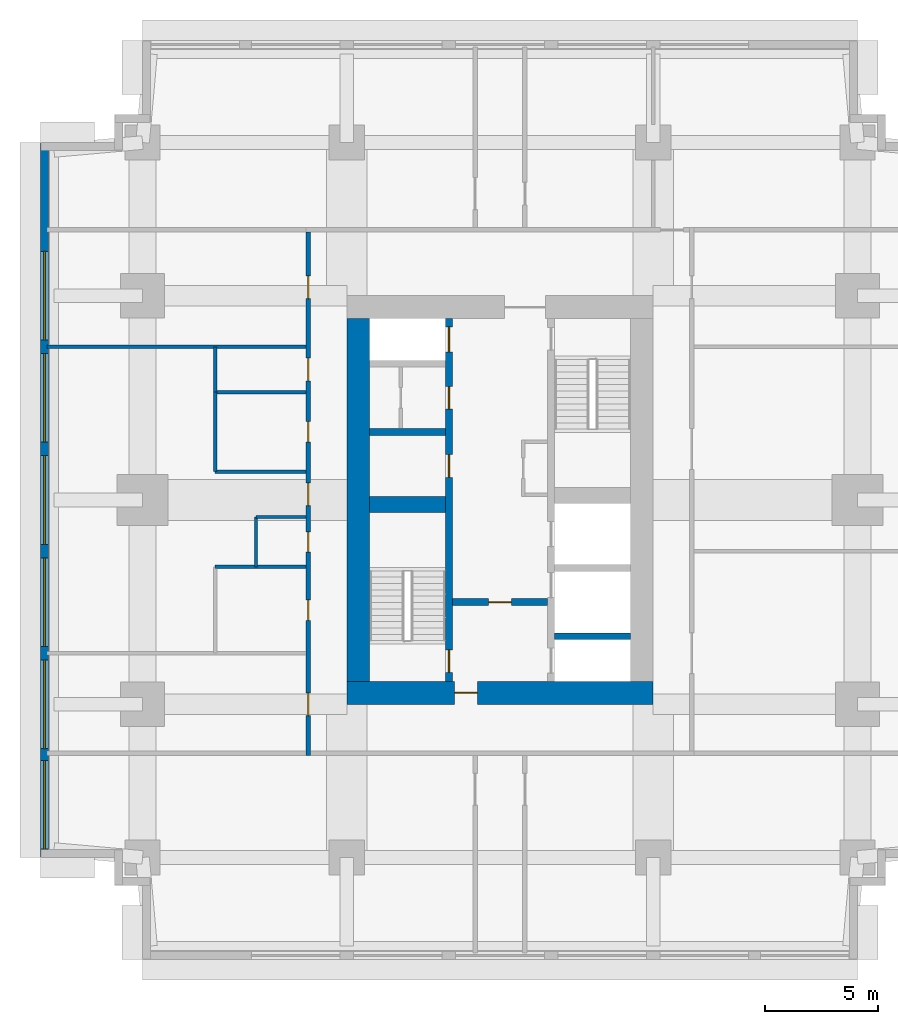
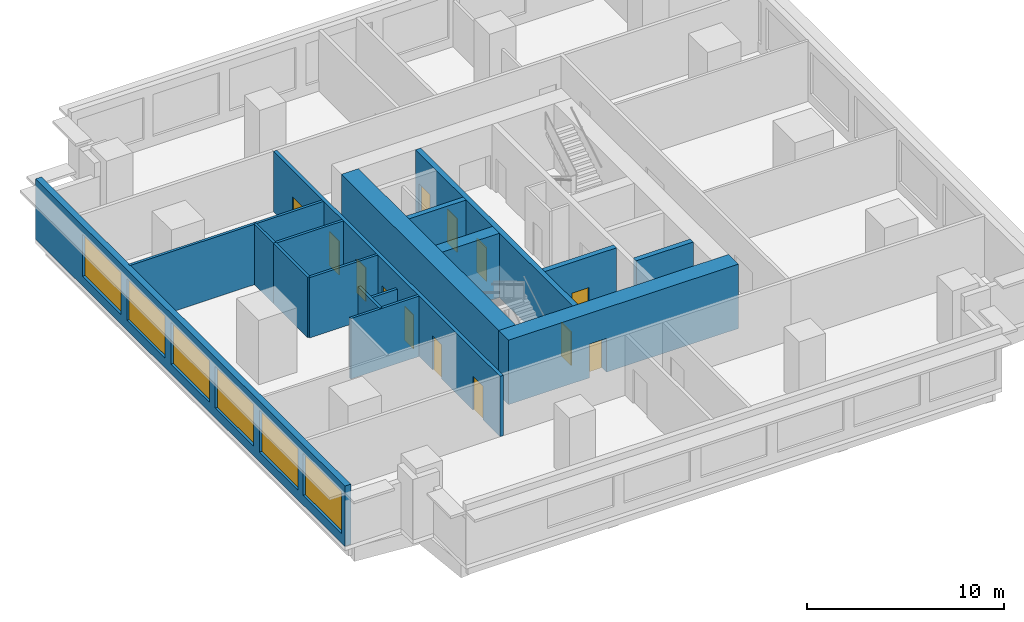
# One storey, part 3 of 7: 17 walls, 13 doors, 6 windows, 19 openings.
"""IFC4 building model written with IfcOpenShell, lengths in metres."""

from ifc_helpers import new_model, si_unit, direction, frame, frame_2d, origin, place, context, subcontext, project, spatial, rectangle, extrude, material, layer, layer_set, type_object, element, fill, save


model = new_model("IFC4")

# Units and contexts
model_context = context("Model", 3, precision=1e-05, world=origin(), true_north=direction((0.0, 1.0)))
body_context = subcontext(model_context, "Body", "Model", "MODEL_VIEW")
ifc_project = project(units=[si_unit("LENGTHUNIT", "METRE"), si_unit("AREAUNIT", "SQUARE_METRE"), si_unit("VOLUMEUNIT", "CUBIC_METRE"), si_unit("PLANEANGLEUNIT", "RADIAN"), si_unit("MASSUNIT", "GRAM", prefix="KILO")], contexts=[model_context])

# Site, building, storey
site_placement = place(None, origin())
site = spatial("IfcSite", under=ifc_project, at=site_placement, CompositionType="ELEMENT")
building_placement = place(site_placement, origin())
building = spatial("IfcBuilding", under=site, at=building_placement, Name="Namib Vertical Campus", CompositionType="ELEMENT")
storey_placement = place(building_placement, frame((0.0, 0.0, 237.0)))
storey = spatial("IfcBuildingStorey", under=building, at=storey_placement, Name="L56", CompositionType="ELEMENT", Elevation=237.0)

# Wall, openings, doors
ifc_material_1 = material(Name="Concrete C60/75", Category="concrete")
ifc_layer_1 = layer(ifc_material_1, 0.300048828125)
ifc_layer_set_1 = layer_set([ifc_layer_1], Name="Concrete C60/75")
wall_type_1 = type_object("IfcWallType", Name="Core inner wall 300", PredefinedType="SHEAR", material=ifc_layer_set_1)
wall_1_placement = place(storey_placement, frame((18.0, 12.25, 0.0), z_axis=(0.0, 0.0, 1.0), x_axis=(0.0, 1.0, 0.0)))
wall_1 = element("IfcWall", 1, at=wall_1_placement, inside=storey, type_object=wall_type_1, Name="Core inner wall A L56 W1", PredefinedType="SHEAR", context=body_context, shape_type="SweptSolid", body=[
    extrude(rectangle(XDim=16.0, YDim=0.300048828125, at=frame_2d((8.0, 0.0))), origin(), (0.0, 0.0, 1.0), 4.0),
])
opening_1_placement = place(wall_1_placement, frame((0.39990234375, 0.0, 0.0)))
opening_1 = element("IfcOpeningElement", 2, at=opening_1_placement, cuts=wall_1, Name="Opening FD1", PredefinedType="OPENING", context=body_context, shape_type="SweptSolid", body=[
    extrude(rectangle(XDim=1.0, YDim=2.10009765625, at=frame_2d((0.5, 1.050048828125))), frame((0.0, 0.159912109375, 0.0), z_axis=(0.0, -1.0, 0.0), x_axis=(1.0, 0.0, 0.0)), (0.0, 0.0, 1.0), 0.320068359375),
])
opening_2_placement = place(wall_1_placement, frame((14.52490234375, 0.0, 0.0)))
opening_2 = element("IfcOpeningElement", 3, at=opening_2_placement, cuts=wall_1, Name="Opening LD1", PredefinedType="OPENING", context=body_context, shape_type="SweptSolid", body=[
    extrude(rectangle(XDim=1.10009765625, YDim=2.10009765625, at=frame_2d((0.550048828125, 1.050048828125))), frame((0.0, 0.159912109375, 0.0), z_axis=(0.0, -1.0, 0.0), x_axis=(1.0, 0.0, 0.0)), (0.0, 0.0, 1.0), 0.320068359375),
])
opening_3_placement = place(wall_1_placement, frame((9.0, 0.0, 0.0)))
opening_3 = element("IfcOpeningElement", 4, at=opening_3_placement, cuts=wall_1, Name="Opening D1", PredefinedType="OPENING", context=body_context, shape_type="SweptSolid", body=[
    extrude(rectangle(XDim=1.0, YDim=2.10009765625, at=frame_2d((0.5, 1.050048828125))), frame((0.0, 0.159912109375, 0.0), z_axis=(0.0, -1.0, 0.0), x_axis=(1.0, 0.0, 0.0)), (0.0, 0.0, 1.0), 0.320068359375),
])
opening_4_placement = place(wall_1_placement, frame((12.0, 0.0, 0.0)))
opening_4 = element("IfcOpeningElement", 5, at=opening_4_placement, cuts=wall_1, Name="Opening D1", PredefinedType="OPENING", context=body_context, shape_type="SweptSolid", body=[
    extrude(rectangle(XDim=1.0, YDim=2.10009765625, at=frame_2d((0.5, 1.050048828125))), frame((0.0, 0.159912109375, 0.0), z_axis=(0.0, -1.0, 0.0), x_axis=(1.0, 0.0, 0.0)), (0.0, 0.0, 1.0), 0.320068359375),
])
ifc_material_2 = material(Name="Timber door leaf", Category="wood")
door_type_1 = type_object("IfcDoorType", Name="Door single 1000x2100", OperationType="SINGLE_SWING_LEFT", PredefinedType="DOOR", material=ifc_material_2)
door_1_placement = place(opening_3_placement, origin())
door_1 = element("IfcDoor", 6, at=door_1_placement, inside=storey, type_object=door_type_1, Name="Door D1 Staff pantry A L56 P1", OperationType="SINGLE_SWING_LEFT", OverallHeight=2.10009765625, OverallWidth=1.0, PredefinedType="DOOR", context=body_context, shape_type="SweptSolid", body=[
    extrude(rectangle(XDim=1.0, YDim=2.10009765625, at=frame_2d((0.5, 1.050048828125))), frame((0.0, 0.02490234375, 0.0), z_axis=(0.0, -1.0, 0.0), x_axis=(1.0, 0.0, 0.0)), (0.0, 0.0, 1.0), 0.050048828125),
])
fill(opening_3, door_1)
door_2_placement = place(opening_4_placement, origin())
door_2 = element("IfcDoor", 7, at=door_2_placement, inside=storey, type_object=door_type_1, Name="Door D1 Records store A L56 P2", OperationType="SINGLE_SWING_LEFT", OverallHeight=2.10009765625, OverallWidth=1.0, PredefinedType="DOOR", context=body_context, shape_type="SweptSolid", body=[
    extrude(rectangle(XDim=1.0, YDim=2.10009765625, at=frame_2d((0.5, 1.050048828125))), frame((0.0, 0.02490234375, 0.0), z_axis=(0.0, -1.0, 0.0), x_axis=(1.0, 0.0, 0.0)), (0.0, 0.0, 1.0), 0.050048828125),
])
fill(opening_4, door_2)
ifc_material_3 = material(Name="Steel fire door", Category="steel")
door_type_2 = type_object("IfcDoorType", Name="Fire door 1000x2100", OperationType="SINGLE_SWING_RIGHT", PredefinedType="DOOR", material=ifc_material_3)
door_3_placement = place(opening_1_placement, origin())
door_3 = element("IfcDoor", 8, at=door_3_placement, inside=storey, type_object=door_type_2, Name="Stair door FD1 A L56 S1", OperationType="SINGLE_SWING_LEFT", OverallHeight=2.10009765625, OverallWidth=1.0, PredefinedType="DOOR", context=body_context, shape_type="SweptSolid", body=[
    extrude(rectangle(XDim=1.0, YDim=2.10009765625, at=frame_2d((0.5, 1.050048828125))), frame((0.0, 0.02490234375, 0.0), z_axis=(0.0, -1.0, 0.0), x_axis=(1.0, 0.0, 0.0)), (0.0, 0.0, 1.0), 0.050048828125),
])
fill(opening_1, door_3)
ifc_material_4 = material(Name="Stainless steel lift door", Category="steel")
door_type_3 = type_object("IfcDoorType", Name="Lift landing door 1100x2100", OperationType="DOUBLE_DOOR_SLIDING", PredefinedType="DOOR", material=ifc_material_4)
door_4_placement = place(opening_2_placement, origin())
door_4 = element("IfcDoor", 9, at=door_4_placement, inside=storey, type_object=door_type_3, Name="Lift landing door LD1 A-P3 L56", OperationType="DOUBLE_DOOR_SLIDING", OverallHeight=2.10009765625, OverallWidth=1.10009765625, PredefinedType="DOOR", context=body_context, shape_type="SweptSolid", body=[
    extrude(rectangle(XDim=1.10009765625, YDim=2.10009765625, at=frame_2d((0.550048828125, 1.050048828125))), frame((0.0, 0.02490234375, 0.0), z_axis=(0.0, -1.0, 0.0), x_axis=(1.0, 0.0, 0.0)), (0.0, 0.0, 1.0), 0.050048828125),
])
fill(opening_2, door_4)

# Wall, opening, door
wall_2_placement = place(storey_placement, frame((18.14990234375, 15.75, 0.0), z_axis=(0.0, 0.0, 1.0), x_axis=(1.0, 0.0, 0.0)))
wall_2 = element("IfcWall", 10, at=wall_2_placement, inside=storey, type_object=wall_type_1, Name="Core inner wall A L56 W4", PredefinedType="SHEAR", context=body_context, shape_type="SweptSolid", body=[
    extrude(rectangle(XDim=4.2001953125, YDim=0.300048828125, at=frame_2d((2.10009765625, 0.0))), origin(), (0.0, 0.0, 1.0), 4.0),
])
opening_5_placement = place(wall_2_placement, frame((1.60009765625, 0.0, 0.0)))
opening_5 = element("IfcOpeningElement", 11, at=opening_5_placement, cuts=wall_2, Name="Opening FD5", PredefinedType="OPENING", context=body_context, shape_type="SweptSolid", body=[
    extrude(rectangle(XDim=1.0, YDim=2.10009765625, at=frame_2d((0.5, 1.050048828125))), frame((0.0, 0.159912109375, 0.0), z_axis=(0.0, -1.0, 0.0), x_axis=(1.0, 0.0, 0.0)), (0.0, 0.0, 1.0), 0.320068359375),
])
ifc_material_5 = material(Name="Steel fire door", Category="steel")
door_type_4 = type_object("IfcDoorType", Name="Fire door 1000x2100 120 min", OperationType="SINGLE_SWING_RIGHT", PredefinedType="DOOR", material=ifc_material_5)
door_5_placement = place(opening_5_placement, frame((1.0, 0.0, 0.0), z_axis=(0.0, 0.0, 1.0), x_axis=(-1.0, 0.0, 0.0)))
door_5 = element("IfcDoor", 12, at=door_5_placement, inside=storey, type_object=door_type_4, Name="Lobby door FD5 A L56", OperationType="SINGLE_SWING_RIGHT", OverallHeight=2.10009765625, OverallWidth=1.0, PredefinedType="DOOR", context=body_context, shape_type="SweptSolid", body=[
    extrude(rectangle(XDim=1.0, YDim=2.10009765625, at=frame_2d((0.5, 1.050048828125))), frame((0.0, 0.02490234375, 0.0), z_axis=(0.0, -1.0, 0.0), x_axis=(1.0, 0.0, 0.0)), (0.0, 0.0, 1.0), 0.050048828125),
])
fill(opening_5, door_5)

# Walls
for number, where, z_axis, x_axis, name in (
    (13, (22.64990234375, 14.25, 0.0), (0.0, 0.0, 1.0), (1.0, 0.0, 0.0), "Core inner wall A L56 W5"),
    (14, (14.5, 23.25, 0.0), (0.0, 0.0, 1.0), (1.0, 0.0, 0.0), "Core inner wall A L56 W8"),
):
    element("IfcWall", number, at=place(storey_placement, frame(where, z_axis=z_axis, x_axis=x_axis)), inside=storey, type_object=wall_type_1, Name=name, PredefinedType="SHEAR", context=body_context, shape_type="SweptSolid", body=[
        extrude(rectangle(XDim=3.35009765625, YDim=0.300048828125, at=frame_2d((1.675048828125, 0.0))), origin(), (0.0, 0.0, 1.0), 4.0),
    ])
ifc_material_6 = material(Name="Concrete C60/75", Category="concrete")
ifc_layer_2 = layer(ifc_material_6, 0.699951171875)
ifc_layer_set_2 = layer_set([ifc_layer_2], Name="Concrete C60/75")
wall_type_2 = type_object("IfcWallType", Name="Core shear wall 700", PredefinedType="SHEAR", material=ifc_layer_set_2)
wall_3_placement = place(storey_placement, frame((14.5, 20.050048828125, 0.0), z_axis=(0.0, 0.0, 1.0), x_axis=(1.0, 0.0, 0.0)))
element("IfcWall", 15, at=wall_3_placement, inside=storey, type_object=wall_type_2, Name="Core shear wall A L56 W3", PredefinedType="SHEAR", context=body_context, shape_type="SweptSolid", body=[
    extrude(rectangle(XDim=3.35009765625, YDim=0.699951171875, at=frame_2d((1.675048828125, 0.0))), origin(), (0.0, 0.0, 1.0), 4.0),
])

# Wall, opening, door
ifc_material_7 = material(Name="Concrete C60/75", Category="concrete")
ifc_layer_3 = layer(ifc_material_7, 1.0)
ifc_layer_set_3 = layer_set([ifc_layer_3], Name="Concrete C60/75")
wall_type_3 = type_object("IfcWallType", Name="Core wall 1000", PredefinedType="SHEAR", material=ifc_layer_set_3)
wall_4_placement = place(storey_placement, frame((13.5, 11.75, 0.0), z_axis=(0.0, 0.0, 1.0), x_axis=(1.0, 0.0, 0.0)))
wall_4 = element("IfcWall", 16, at=wall_4_placement, inside=storey, type_object=wall_type_3, Name="Core wall A L56 1", PredefinedType="SHEAR", context=body_context, shape_type="SweptSolid", body=[
    extrude(rectangle(XDim=13.5, YDim=1.0, at=frame_2d((6.75, 0.0))), origin(), (0.0, 0.0, 1.0), 4.0),
])
opening_6_placement = place(wall_4_placement, frame((4.75, 0.0, 0.0)))
opening_6 = element("IfcOpeningElement", 17, at=opening_6_placement, cuts=wall_4, Name="Opening FD5", PredefinedType="OPENING", context=body_context, shape_type="SweptSolid", body=[
    extrude(rectangle(XDim=1.0, YDim=2.10009765625, at=frame_2d((0.5, 1.050048828125))), frame((0.0, 0.510009765625, 0.0), z_axis=(0.0, -1.0, 0.0), x_axis=(1.0, 0.0, 0.0)), (0.0, 0.0, 1.0), 1.02001953125),
])
door_6_placement = place(opening_6_placement, origin())
door_6 = element("IfcDoor", 18, at=door_6_placement, inside=storey, type_object=door_type_4, Name="Firefighting lobby door FD5 A L56", OperationType="SINGLE_SWING_LEFT", OverallHeight=2.10009765625, OverallWidth=1.0, PredefinedType="DOOR", context=body_context, shape_type="SweptSolid", body=[
    extrude(rectangle(XDim=1.0, YDim=2.10009765625, at=frame_2d((0.5, 1.050048828125))), frame((0.0, 0.02490234375, 0.0), z_axis=(0.0, -1.0, 0.0), x_axis=(1.0, 0.0, 0.0)), (0.0, 0.0, 1.0), 0.050048828125),
])
fill(opening_6, door_6)

# Wall
wall_5_placement = place(storey_placement, frame((14.0, 28.25, 0.0), z_axis=(0.0, 0.0, 1.0), x_axis=(0.0, -1.0, 0.0)))
element("IfcWall", 19, at=wall_5_placement, inside=storey, type_object=wall_type_3, Name="Core wall A L56 4", PredefinedType="SHEAR", context=body_context, shape_type="SweptSolid", body=[
    extrude(rectangle(XDim=16.0, YDim=1.0, at=frame_2d((8.0, 0.0))), origin(), (0.0, 0.0, 1.0), 4.0),
])

# Wall, openings, doors
ifc_material_8 = material(Name="Concrete masonry", Category="masonry")
ifc_layer_4 = layer(ifc_material_8, 0.199951171875)
ifc_layer_set_4 = layer_set([ifc_layer_4], Name="Corridor wall 200")
wall_type_4 = type_object("IfcWallType", Name="Corridor wall 200", PredefinedType="SOLIDWALL", material=ifc_layer_set_4)
wall_6_placement = place(storey_placement, frame((11.800048828125, 32.050048828125, 0.0), z_axis=(0.0, 0.0, 1.0), x_axis=(0.0, -1.0, 0.0)))
wall_6 = element("IfcWall", 20, at=wall_6_placement, inside=storey, type_object=wall_type_4, Name="Corridor wall A L56 CW", PredefinedType="SOLIDWALL", context=body_context, shape_type="SweptSolid", body=[
    extrude(rectangle(XDim=23.050048828125, YDim=0.199951171875, at=frame_2d((11.52490234375, 0.0))), origin(), (0.0, 0.0, 1.0), 3.75),
])
opening_7_placement = place(wall_6_placement, frame((20.300048828125, 0.0, 0.0)))
opening_7 = element("IfcOpeningElement", 21, at=opening_7_placement, cuts=wall_6, Name="Opening CD1", PredefinedType="OPENING", context=body_context, shape_type="SweptSolid", body=[
    extrude(rectangle(XDim=1.0, YDim=2.10009765625, at=frame_2d((0.5, 1.050048828125))), frame((0.0, 0.10986328125, 0.0), z_axis=(0.0, -1.0, 0.0), x_axis=(1.0, 0.0, 0.0)), (0.0, 0.0, 1.0), 0.219970703125),
])
opening_8_placement = place(wall_6_placement, frame((16.199951171875, 0.0, 0.0)))
opening_8 = element("IfcOpeningElement", 22, at=opening_8_placement, cuts=wall_6, Name="Opening CD3", PredefinedType="OPENING", context=body_context, shape_type="SweptSolid", body=[
    extrude(rectangle(XDim=0.89990234375, YDim=2.10009765625, at=frame_2d((0.449951171875, 1.050048828125))), frame((0.0, 0.10986328125, 0.0), z_axis=(0.0, -1.0, 0.0), x_axis=(1.0, 0.0, 0.0)), (0.0, 0.0, 1.0), 0.219970703125),
])
opening_9_placement = place(wall_6_placement, frame((13.199951171875, 0.0, 0.0)))
opening_9 = element("IfcOpeningElement", 23, at=opening_9_placement, cuts=wall_6, Name="Opening CD3", PredefinedType="OPENING", context=body_context, shape_type="SweptSolid", body=[
    extrude(rectangle(XDim=0.89990234375, YDim=2.10009765625, at=frame_2d((0.449951171875, 1.050048828125))), frame((0.0, 0.10986328125, 0.0), z_axis=(0.0, -1.0, 0.0), x_axis=(1.0, 0.0, 0.0)), (0.0, 0.0, 1.0), 0.219970703125),
])
opening_10_placement = place(wall_6_placement, frame((8.35009765625, 0.0, 0.0)))
opening_10 = element("IfcOpeningElement", 24, at=opening_10_placement, cuts=wall_6, Name="Opening CD3", PredefinedType="OPENING", context=body_context, shape_type="SweptSolid", body=[
    extrude(rectangle(XDim=0.89990234375, YDim=2.10009765625, at=frame_2d((0.449951171875, 1.050048828125))), frame((0.0, 0.10986328125, 0.0), z_axis=(0.0, -1.0, 0.0), x_axis=(1.0, 0.0, 0.0)), (0.0, 0.0, 1.0), 0.219970703125),
])
opening_11_placement = place(wall_6_placement, frame((5.550048828125, 0.0, 0.0)))
opening_11 = element("IfcOpeningElement", 25, at=opening_11_placement, cuts=wall_6, Name="Opening CD1", PredefinedType="OPENING", context=body_context, shape_type="SweptSolid", body=[
    extrude(rectangle(XDim=1.0, YDim=2.10009765625, at=frame_2d((0.5, 1.050048828125))), frame((0.0, 0.10986328125, 0.0), z_axis=(0.0, -1.0, 0.0), x_axis=(1.0, 0.0, 0.0)), (0.0, 0.0, 1.0), 0.219970703125),
])
opening_12_placement = place(wall_6_placement, frame((11.050048828125, 0.0, 0.0)))
opening_12 = element("IfcOpeningElement", 26, at=opening_12_placement, cuts=wall_6, Name="Opening CD1", PredefinedType="OPENING", context=body_context, shape_type="SweptSolid", body=[
    extrude(rectangle(XDim=1.0, YDim=2.10009765625, at=frame_2d((0.5, 1.050048828125))), frame((0.0, 0.10986328125, 0.0), z_axis=(0.0, -1.0, 0.0), x_axis=(1.0, 0.0, 0.0)), (0.0, 0.0, 1.0), 0.219970703125),
])
opening_13_placement = place(wall_6_placement, frame((1.925048828125, 0.0, 0.0)))
opening_13 = element("IfcOpeningElement", 27, at=opening_13_placement, cuts=wall_6, Name="Opening CD1", PredefinedType="OPENING", context=body_context, shape_type="SweptSolid", body=[
    extrude(rectangle(XDim=1.0, YDim=2.10009765625, at=frame_2d((0.5, 1.050048828125))), frame((0.0, 0.10986328125, 0.0), z_axis=(0.0, -1.0, 0.0), x_axis=(1.0, 0.0, 0.0)), (0.0, 0.0, 1.0), 0.219970703125),
])
ifc_material_9 = material(Name="Timber fire door leaf", Category="wood")
door_type_5 = type_object("IfcDoorType", Name="Corridor door 1000x2100 20 min", OperationType="SINGLE_SWING_LEFT", PredefinedType="DOOR", material=ifc_material_9)
door_7_placement = place(opening_7_placement, frame((1.0, 0.0, 0.0), z_axis=(0.0, 0.0, 1.0), x_axis=(-1.0, 0.0, 0.0)))
door_7 = element("IfcDoor", 28, at=door_7_placement, inside=storey, type_object=door_type_5, Name="Door CD1 A56-09", OperationType="SINGLE_SWING_RIGHT", OverallHeight=2.10009765625, OverallWidth=1.0, PredefinedType="DOOR", context=body_context, shape_type="SweptSolid", body=[
    extrude(rectangle(XDim=1.0, YDim=2.10009765625, at=frame_2d((0.5, 1.050048828125))), frame((0.0, 0.02490234375, 0.0), z_axis=(0.0, -1.0, 0.0), x_axis=(1.0, 0.0, 0.0)), (0.0, 0.0, 1.0), 0.050048828125),
])
fill(opening_7, door_7)
door_8_placement = place(opening_11_placement, frame((1.0, 0.0, 0.0), z_axis=(0.0, 0.0, 1.0), x_axis=(-1.0, 0.0, 0.0)))
door_8 = element("IfcDoor", 29, at=door_8_placement, inside=storey, type_object=door_type_5, Name="Door CD1 A56-13", OperationType="SINGLE_SWING_RIGHT", OverallHeight=2.10009765625, OverallWidth=1.0, PredefinedType="DOOR", context=body_context, shape_type="SweptSolid", body=[
    extrude(rectangle(XDim=1.0, YDim=2.10009765625, at=frame_2d((0.5, 1.050048828125))), frame((0.0, 0.02490234375, 0.0), z_axis=(0.0, -1.0, 0.0), x_axis=(1.0, 0.0, 0.0)), (0.0, 0.0, 1.0), 0.050048828125),
])
fill(opening_11, door_8)
door_9_placement = place(opening_12_placement, frame((1.0, 0.0, 0.0), z_axis=(0.0, 0.0, 1.0), x_axis=(-1.0, 0.0, 0.0)))
door_9 = element("IfcDoor", 30, at=door_9_placement, inside=storey, type_object=door_type_5, Name="Door CD1 A56-14", OperationType="SINGLE_SWING_RIGHT", OverallHeight=2.10009765625, OverallWidth=1.0, PredefinedType="DOOR", context=body_context, shape_type="SweptSolid", body=[
    extrude(rectangle(XDim=1.0, YDim=2.10009765625, at=frame_2d((0.5, 1.050048828125))), frame((0.0, 0.02490234375, 0.0), z_axis=(0.0, -1.0, 0.0), x_axis=(1.0, 0.0, 0.0)), (0.0, 0.0, 1.0), 0.050048828125),
])
fill(opening_12, door_9)
door_10_placement = place(opening_13_placement, frame((1.0, 0.0, 0.0), z_axis=(0.0, 0.0, 1.0), x_axis=(-1.0, 0.0, 0.0)))
door_10 = element("IfcDoor", 31, at=door_10_placement, inside=storey, type_object=door_type_5, Name="Door CD1 A56-15", OperationType="SINGLE_SWING_RIGHT", OverallHeight=2.10009765625, OverallWidth=1.0, PredefinedType="DOOR", context=body_context, shape_type="SweptSolid", body=[
    extrude(rectangle(XDim=1.0, YDim=2.10009765625, at=frame_2d((0.5, 1.050048828125))), frame((0.0, 0.02490234375, 0.0), z_axis=(0.0, -1.0, 0.0), x_axis=(1.0, 0.0, 0.0)), (0.0, 0.0, 1.0), 0.050048828125),
])
fill(opening_13, door_10)
ifc_material_10 = material(Name="Timber fire door leaf", Category="wood")
door_type_6 = type_object("IfcDoorType", Name="Corridor toilet door 900x2100 20 min", OperationType="SINGLE_SWING_LEFT", PredefinedType="DOOR", material=ifc_material_10)
door_11_placement = place(opening_8_placement, frame((0.89990234375, 0.0, 0.0), z_axis=(0.0, 0.0, 1.0), x_axis=(-1.0, 0.0, 0.0)))
door_11 = element("IfcDoor", 32, at=door_11_placement, inside=storey, type_object=door_type_6, Name="Door CD3 A56-10", OperationType="SINGLE_SWING_RIGHT", OverallHeight=2.10009765625, OverallWidth=0.89990234375, PredefinedType="DOOR", context=body_context, shape_type="SweptSolid", body=[
    extrude(rectangle(XDim=0.89990234375, YDim=2.10009765625, at=frame_2d((0.449951171875, 1.050048828125))), frame((0.0, 0.02490234375, 0.0), z_axis=(0.0, -1.0, 0.0), x_axis=(1.0, 0.0, 0.0)), (0.0, 0.0, 1.0), 0.050048828125),
])
fill(opening_8, door_11)
door_12_placement = place(opening_9_placement, frame((0.89990234375, 0.0, 0.0), z_axis=(0.0, 0.0, 1.0), x_axis=(-1.0, 0.0, 0.0)))
door_12 = element("IfcDoor", 33, at=door_12_placement, inside=storey, type_object=door_type_6, Name="Door CD3 A56-11", OperationType="SINGLE_SWING_RIGHT", OverallHeight=2.10009765625, OverallWidth=0.89990234375, PredefinedType="DOOR", context=body_context, shape_type="SweptSolid", body=[
    extrude(rectangle(XDim=0.89990234375, YDim=2.10009765625, at=frame_2d((0.449951171875, 1.050048828125))), frame((0.0, 0.02490234375, 0.0), z_axis=(0.0, -1.0, 0.0), x_axis=(1.0, 0.0, 0.0)), (0.0, 0.0, 1.0), 0.050048828125),
])
fill(opening_9, door_12)
door_13_placement = place(opening_10_placement, frame((0.89990234375, 0.0, 0.0), z_axis=(0.0, 0.0, 1.0), x_axis=(-1.0, 0.0, 0.0)))
door_13 = element("IfcDoor", 34, at=door_13_placement, inside=storey, type_object=door_type_6, Name="Door CD3 A56-12", OperationType="SINGLE_SWING_RIGHT", OverallHeight=2.10009765625, OverallWidth=0.89990234375, PredefinedType="DOOR", context=body_context, shape_type="SweptSolid", body=[
    extrude(rectangle(XDim=0.89990234375, YDim=2.10009765625, at=frame_2d((0.449951171875, 1.050048828125))), frame((0.0, 0.02490234375, 0.0), z_axis=(0.0, -1.0, 0.0), x_axis=(1.0, 0.0, 0.0)), (0.0, 0.0, 1.0), 0.050048828125),
])
fill(opening_10, door_13)

# Wall, openings, windows
ifc_material_11 = material(Name="Concrete C40/50", Category="concrete")
ifc_layer_5 = layer(ifc_material_11, 0.35009765625)
ifc_layer_set_5 = layer_set([ifc_layer_5], Name="Concrete C40/50")
wall_type_5 = type_object("IfcWallType", Name="External wall 350 bush-hammered concrete", PredefinedType="STANDARD", material=ifc_layer_set_5)
wall_7_placement = place(storey_placement, frame((0.175048828125, 35.97998046875, 0.0), z_axis=(0.0, 0.0, 1.0), x_axis=(0.0, -1.0, 0.0)))
wall_7 = element("IfcWall", 35, at=wall_7_placement, inside=storey, type_object=wall_type_5, Name="External wall L56 F16", PredefinedType="STANDARD", context=body_context, shape_type="SweptSolid", body=[
    extrude(rectangle(XDim=31.4599609375, YDim=0.35009765625, at=frame_2d((15.72998046875, 0.0))), origin(), (0.0, 0.0, 1.0), 3.75),
])
opening_14_placement = place(wall_7_placement, frame((27.2099609375, 0.0, 0.60009765625)))
opening_14 = element("IfcOpeningElement", 36, at=opening_14_placement, cuts=wall_7, Name="Opening W2", PredefinedType="OPENING", context=body_context, shape_type="SweptSolid", body=[
    extrude(rectangle(XDim=3.89990234375, YDim=2.60009765625, at=frame_2d((1.949951171875, 1.300048828125))), frame((0.0, 0.18505859375, 0.0), z_axis=(0.0, -1.0, 0.0), x_axis=(1.0, 0.0, 0.0)), (0.0, 0.0, 1.0), 0.3701171875),
])
opening_15_placement = place(wall_7_placement, frame((22.780029296875, 0.0, 0.60009765625)))
opening_15 = element("IfcOpeningElement", 37, at=opening_15_placement, cuts=wall_7, Name="Opening W2", PredefinedType="OPENING", context=body_context, shape_type="SweptSolid", body=[
    extrude(rectangle(XDim=3.89990234375, YDim=2.60009765625, at=frame_2d((1.949951171875, 1.300048828125))), frame((0.0, 0.18505859375, 0.0), z_axis=(0.0, -1.0, 0.0), x_axis=(1.0, 0.0, 0.0)), (0.0, 0.0, 1.0), 0.3701171875),
])
opening_16_placement = place(wall_7_placement, frame((18.280029296875, 0.0, 0.60009765625)))
opening_16 = element("IfcOpeningElement", 38, at=opening_16_placement, cuts=wall_7, Name="Opening W2", PredefinedType="OPENING", context=body_context, shape_type="SweptSolid", body=[
    extrude(rectangle(XDim=3.89990234375, YDim=2.60009765625, at=frame_2d((1.949951171875, 1.300048828125))), frame((0.0, 0.18505859375, 0.0), z_axis=(0.0, -1.0, 0.0), x_axis=(1.0, 0.0, 0.0)), (0.0, 0.0, 1.0), 0.3701171875),
])
opening_17_placement = place(wall_7_placement, frame((13.780029296875, 0.0, 0.60009765625)))
opening_17 = element("IfcOpeningElement", 39, at=opening_17_placement, cuts=wall_7, Name="Opening W2", PredefinedType="OPENING", context=body_context, shape_type="SweptSolid", body=[
    extrude(rectangle(XDim=3.89990234375, YDim=2.60009765625, at=frame_2d((1.949951171875, 1.300048828125))), frame((0.0, 0.18505859375, 0.0), z_axis=(0.0, -1.0, 0.0), x_axis=(1.0, 0.0, 0.0)), (0.0, 0.0, 1.0), 0.3701171875),
])
opening_18_placement = place(wall_7_placement, frame((9.280029296875, 0.0, 0.60009765625)))
opening_18 = element("IfcOpeningElement", 40, at=opening_18_placement, cuts=wall_7, Name="Opening W2", PredefinedType="OPENING", context=body_context, shape_type="SweptSolid", body=[
    extrude(rectangle(XDim=3.89990234375, YDim=2.60009765625, at=frame_2d((1.949951171875, 1.300048828125))), frame((0.0, 0.18505859375, 0.0), z_axis=(0.0, -1.0, 0.0), x_axis=(1.0, 0.0, 0.0)), (0.0, 0.0, 1.0), 0.3701171875),
])
opening_19_placement = place(wall_7_placement, frame((4.780029296875, 0.0, 0.60009765625)))
opening_19 = element("IfcOpeningElement", 41, at=opening_19_placement, cuts=wall_7, Name="Opening W2", PredefinedType="OPENING", context=body_context, shape_type="SweptSolid", body=[
    extrude(rectangle(XDim=3.89990234375, YDim=2.60009765625, at=frame_2d((1.949951171875, 1.300048828125))), frame((0.0, 0.18505859375, 0.0), z_axis=(0.0, -1.0, 0.0), x_axis=(1.0, 0.0, 0.0)), (0.0, 0.0, 1.0), 0.3701171875),
])
ifc_material_12 = material(Name="Dark tinted glass in black aluminium frame", Category="aluminium")
window_type = type_object("IfcWindowType", Name="Ribbon window 3900x2600", PartitioningType="SINGLE_PANEL", PredefinedType="WINDOW", material=ifc_material_12)
window_1_placement = place(opening_14_placement, origin())
window_1 = element("IfcWindow", 42, at=window_1_placement, inside=storey, type_object=window_type, Name="Window W2 L56 F16-1", OverallHeight=2.60009765625, OverallWidth=3.89990234375, PartitioningType="SINGLE_PANEL", PredefinedType="WINDOW", context=body_context, shape_type="SweptSolid", body=[
    extrude(rectangle(XDim=3.89990234375, YDim=2.60009765625, at=frame_2d((1.949951171875, 1.300048828125))), frame((0.0, 0.030029296875, 0.0), z_axis=(0.0, -1.0, 0.0), x_axis=(1.0, 0.0, 0.0)), (0.0, 0.0, 1.0), 0.06005859375),
])
fill(opening_14, window_1)
window_2_placement = place(opening_15_placement, origin())
window_2 = element("IfcWindow", 43, at=window_2_placement, inside=storey, type_object=window_type, Name="Window W2 L56 F16-2", OverallHeight=2.60009765625, OverallWidth=3.89990234375, PartitioningType="SINGLE_PANEL", PredefinedType="WINDOW", context=body_context, shape_type="SweptSolid", body=[
    extrude(rectangle(XDim=3.89990234375, YDim=2.60009765625, at=frame_2d((1.949951171875, 1.300048828125))), frame((0.0, 0.030029296875, 0.0), z_axis=(0.0, -1.0, 0.0), x_axis=(1.0, 0.0, 0.0)), (0.0, 0.0, 1.0), 0.06005859375),
])
fill(opening_15, window_2)
window_3_placement = place(opening_16_placement, origin())
window_3 = element("IfcWindow", 44, at=window_3_placement, inside=storey, type_object=window_type, Name="Window W2 L56 F16-3", OverallHeight=2.60009765625, OverallWidth=3.89990234375, PartitioningType="SINGLE_PANEL", PredefinedType="WINDOW", context=body_context, shape_type="SweptSolid", body=[
    extrude(rectangle(XDim=3.89990234375, YDim=2.60009765625, at=frame_2d((1.949951171875, 1.300048828125))), frame((0.0, 0.030029296875, 0.0), z_axis=(0.0, -1.0, 0.0), x_axis=(1.0, 0.0, 0.0)), (0.0, 0.0, 1.0), 0.06005859375),
])
fill(opening_16, window_3)
window_4_placement = place(opening_17_placement, origin())
window_4 = element("IfcWindow", 45, at=window_4_placement, inside=storey, type_object=window_type, Name="Window W2 L56 F16-4", OverallHeight=2.60009765625, OverallWidth=3.89990234375, PartitioningType="SINGLE_PANEL", PredefinedType="WINDOW", context=body_context, shape_type="SweptSolid", body=[
    extrude(rectangle(XDim=3.89990234375, YDim=2.60009765625, at=frame_2d((1.949951171875, 1.300048828125))), frame((0.0, 0.030029296875, 0.0), z_axis=(0.0, -1.0, 0.0), x_axis=(1.0, 0.0, 0.0)), (0.0, 0.0, 1.0), 0.06005859375),
])
fill(opening_17, window_4)
window_5_placement = place(opening_18_placement, origin())
window_5 = element("IfcWindow", 46, at=window_5_placement, inside=storey, type_object=window_type, Name="Window W2 L56 F16-5", OverallHeight=2.60009765625, OverallWidth=3.89990234375, PartitioningType="SINGLE_PANEL", PredefinedType="WINDOW", context=body_context, shape_type="SweptSolid", body=[
    extrude(rectangle(XDim=3.89990234375, YDim=2.60009765625, at=frame_2d((1.949951171875, 1.300048828125))), frame((0.0, 0.030029296875, 0.0), z_axis=(0.0, -1.0, 0.0), x_axis=(1.0, 0.0, 0.0)), (0.0, 0.0, 1.0), 0.06005859375),
])
fill(opening_18, window_5)
window_6_placement = place(opening_19_placement, origin())
window_6 = element("IfcWindow", 47, at=window_6_placement, inside=storey, type_object=window_type, Name="Window W2 L56 F16-6", OverallHeight=2.60009765625, OverallWidth=3.89990234375, PartitioningType="SINGLE_PANEL", PredefinedType="WINDOW", context=body_context, shape_type="SweptSolid", body=[
    extrude(rectangle(XDim=3.89990234375, YDim=2.60009765625, at=frame_2d((1.949951171875, 1.300048828125))), frame((0.0, 0.030029296875, 0.0), z_axis=(0.0, -1.0, 0.0), x_axis=(1.0, 0.0, 0.0)), (0.0, 0.0, 1.0), 0.06005859375),
])
fill(opening_19, window_6)

# Walls
ifc_material_13 = material(Name="Gypsum board on steel studs", Category="steel")
ifc_layer_6 = layer(ifc_material_13, 0.14990234375)
ifc_layer_set_6 = layer_set([ifc_layer_6], Name="Gypsum board on steel studs")
wall_type_6 = type_object("IfcWallType", Name="Partition 150", PredefinedType="PARTITIONING", material=ifc_layer_set_6)
wall_8_placement = place(storey_placement, frame((0.300048828125, 27.0, 0.0), z_axis=(0.0, 0.0, 1.0), x_axis=(1.0, 0.0, 0.0)))
element("IfcWall", 48, at=wall_8_placement, inside=storey, type_object=wall_type_6, Name="Partition A L56 PW2", PredefinedType="PARTITIONING", context=body_context, shape_type="SweptSolid", body=[
    extrude(rectangle(XDim=11.39990234375, YDim=0.14990234375, at=frame_2d((5.699951171875, 0.0))), origin(), (0.0, 0.0, 1.0), 3.75),
])
wall_9_placement = place(storey_placement, frame((11.699951171875, 17.300048828125, 0.0), z_axis=(0.0, 0.0, 1.0), x_axis=(-1.0, 0.0, 0.0)))
element("IfcWall", 49, at=wall_9_placement, inside=storey, type_object=wall_type_6, Name="Partition A L56 WR1", PredefinedType="PARTITIONING", context=body_context, shape_type="SweptSolid", body=[
    extrude(rectangle(XDim=4.0, YDim=0.14990234375, at=frame_2d((2.0, 0.0))), origin(), (0.0, 0.0, 1.0), 3.75),
])
wall_10_placement = place(storey_placement, frame((11.699951171875, 19.5, 0.0), z_axis=(0.0, 0.0, 1.0), x_axis=(-1.0, 0.0, 0.0)))
element("IfcWall", 50, at=wall_10_placement, inside=storey, type_object=wall_type_6, Name="Partition A L56 WR2", PredefinedType="PARTITIONING", context=body_context, shape_type="SweptSolid", body=[
    extrude(rectangle(XDim=2.199951171875, YDim=0.14990234375, at=frame_2d((1.10009765625, 0.0))), origin(), (0.0, 0.0, 1.0), 2.85009765625),
])
for number, where, z_axis, x_axis, name in (
    (51, (11.699951171875, 21.5, 0.0), (0.0, 0.0, 1.0), (-1.0, 0.0, 0.0), "Partition A L56 WR3"),
    (52, (11.699951171875, 25.0, 0.0), (0.0, 0.0, 1.0), (-1.0, 0.0, 0.0), "Partition A L56 WR4"),
):
    element("IfcWall", number, at=place(storey_placement, frame(where, z_axis=z_axis, x_axis=x_axis)), inside=storey, type_object=wall_type_6, Name=name, PredefinedType="PARTITIONING", context=body_context, shape_type="SweptSolid", body=[
        extrude(rectangle(XDim=4.0, YDim=0.14990234375, at=frame_2d((2.0, 0.0))), origin(), (0.0, 0.0, 1.0), 3.75),
    ])
wall_11_placement = place(storey_placement, frame((9.5, 17.300048828125, 0.0), z_axis=(0.0, 0.0, 1.0), x_axis=(0.0, 1.0, 0.0)))
element("IfcWall", 53, at=wall_11_placement, inside=storey, type_object=wall_type_6, Name="Partition A L56 WB2", PredefinedType="PARTITIONING", context=body_context, shape_type="SweptSolid", body=[
    extrude(rectangle(XDim=2.199951171875, YDim=0.14990234375, at=frame_2d((1.10009765625, 0.0))), origin(), (0.0, 0.0, 1.0), 3.75),
])
wall_12_placement = place(storey_placement, frame((7.699951171875, 21.5, 0.0), z_axis=(0.0, 0.0, 1.0), x_axis=(0.0, 1.0, 0.0)))
element("IfcWall", 54, at=wall_12_placement, inside=storey, type_object=wall_type_6, Name="Partition A L56 WB3", PredefinedType="PARTITIONING", context=body_context, shape_type="SweptSolid", body=[
    extrude(rectangle(XDim=3.5, YDim=0.14990234375, at=frame_2d((1.75, 0.0))), origin(), (0.0, 0.0, 1.0), 3.75),
])
wall_13_placement = place(storey_placement, frame((7.699951171875, 25.0, 0.0), z_axis=(0.0, 0.0, 1.0), x_axis=(0.0, 1.0, 0.0)))
element("IfcWall", 55, at=wall_13_placement, inside=storey, type_object=wall_type_6, Name="Partition A L56 WB4", PredefinedType="PARTITIONING", context=body_context, shape_type="SweptSolid", body=[
    extrude(rectangle(XDim=2.0, YDim=0.14990234375, at=frame_2d((1.0, 0.0))), origin(), (0.0, 0.0, 1.0), 3.75),
])

save(model, "model.ifc")
